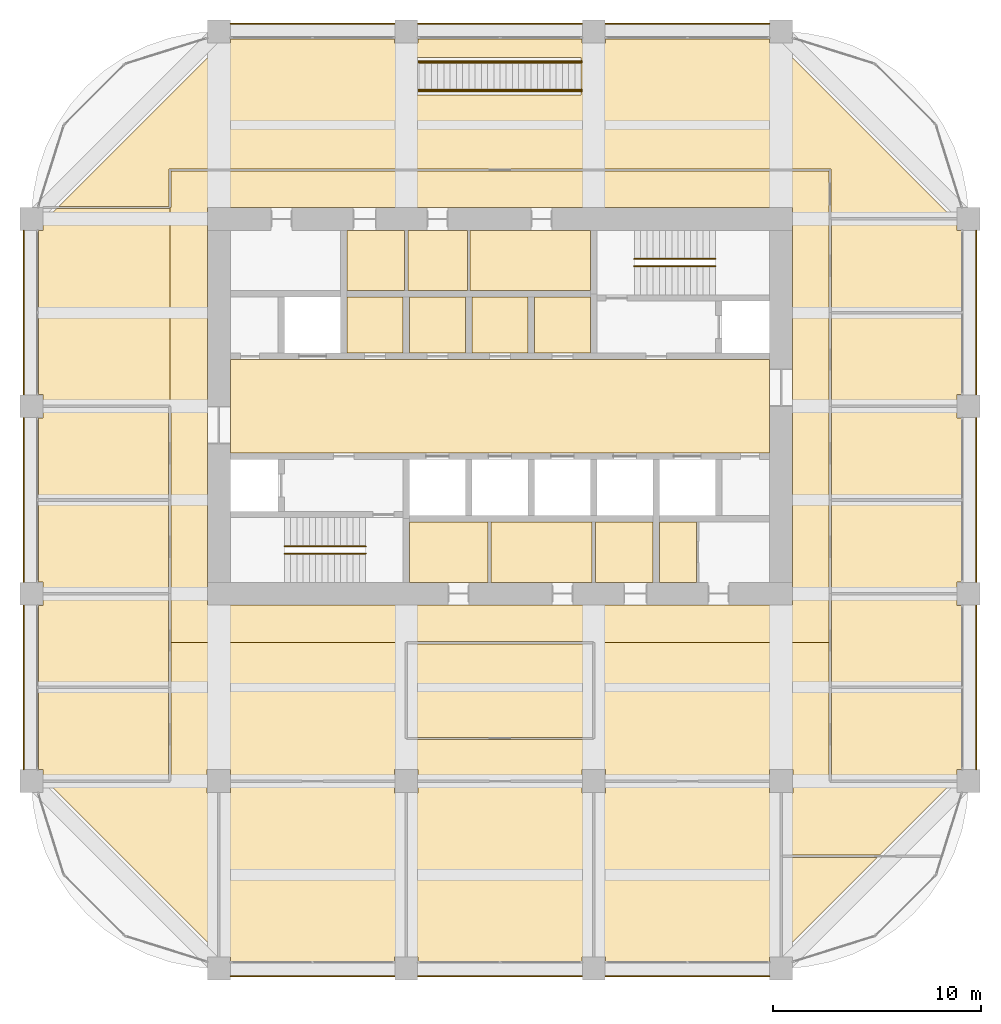
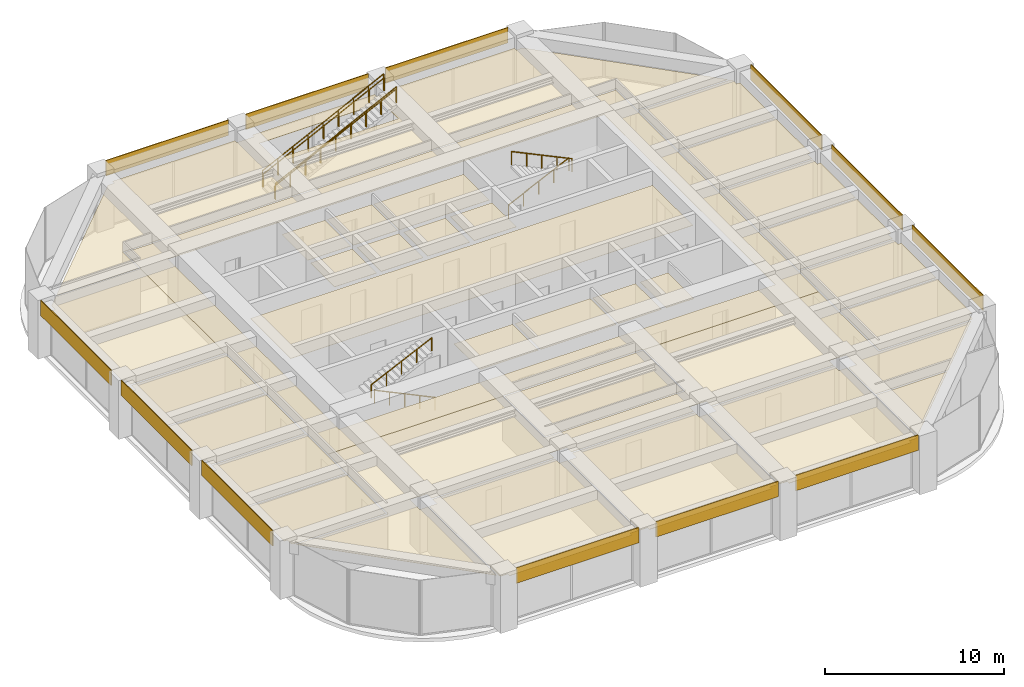
# One storey, part 45 of 45: 43 coverings, 8 railings.
"""IFC4 building model written with IfcOpenShell, lengths in metres."""

import ifcopenshell
import ifcopenshell.guid

model = None  # the IFC model being written
_history = None  # IfcOwnerHistory: only IFC2X3 demands one
_inside = {}  # id of a spatial element -> (the spatial element, [elements in it])
_under = {}  # id of a project, library or spatial element -> (it, [spatial elements below it])
_declared = {}  # id of a project -> (the project, [libraries it declares])
_typed = {}  # id of a type object -> (the type object, [elements of that type])
_made_of = {}  # id of a material, layer set ... -> (it, [elements and type objects made of it])


def new_model(schema):
    """Start an empty IFC model of exactly this schema.

    Asked for "IFC4X3", IfcOpenShell would pick the latest addendum, in which some entities
    have other attributes; the version numbers below select the first issue.
    IFC2X3 requires an IfcOwnerHistory on every rooted entity: one is made here for all.
    """
    global model, _history
    if schema == "IFC4X3":
        model = ifcopenshell.file(schema_version=(4, 3, 0, 0))
    else:
        model = ifcopenshell.file(schema=schema)
    _inside.clear()
    _under.clear()
    _declared.clear()
    _typed.clear()
    _made_of.clear()
    _history = None
    if model.schema == "IFC2X3":
        org = make("IfcOrganization", Name="unknown")
        user = make(
            "IfcPersonAndOrganization",
            ThePerson=make("IfcPerson", FamilyName="unknown"),
            TheOrganization=org,
        )
        app = make(
            "IfcApplication",
            ApplicationDeveloper=org,
            Version="unknown",
            ApplicationFullName="unknown",
            ApplicationIdentifier="unknown",
        )
        _history = make(
            "IfcOwnerHistory",
            OwningUser=user,
            OwningApplication=app,
            ChangeAction="ADDED",
            CreationDate=0,
        )
    return model


def make(cls, **values):
    """One entity of the class cls with the attributes given. An attribute that is None is left unset."""
    return model.create_entity(
        cls, **{name: value for name, value in values.items() if value is not None}
    )


def rooted(cls, **values):
    """An entity with a GlobalId (a new one), such as an element, a storey or a relation."""
    return make(cls, GlobalId=ifcopenshell.guid.new(), OwnerHistory=_history, **values)


def si_unit(unit_type, name, prefix=None):
    """IfcSIUnit, for example si_unit("LENGTHUNIT", "METRE", prefix="MILLI")."""
    return make("IfcSIUnit", UnitType=unit_type, Prefix=prefix, Name=name)


def assignment(units):
    """IfcUnitAssignment: the units of a project."""
    return None if units is None else make("IfcUnitAssignment", Units=units)


def point(xyz):
    """IfcCartesianPoint."""
    return None if xyz is None else make("IfcCartesianPoint", Coordinates=xyz)


def direction(xyz):
    """IfcDirection."""
    return None if xyz is None else make("IfcDirection", DirectionRatios=xyz)


def frame(location, z_axis=None, x_axis=None):
    """IfcAxis2Placement3D, a coordinate frame: its origin and axes. An axis left out is left unset."""
    return make(
        "IfcAxis2Placement3D",
        Location=point(location),
        Axis=direction(z_axis),
        RefDirection=direction(x_axis),
    )


def frame_2d(location, x_axis=None):
    """IfcAxis2Placement2D, a coordinate frame in the plane: its origin and x axis."""
    return make(
        "IfcAxis2Placement2D", Location=point(location), RefDirection=direction(x_axis)
    )


def origin():
    """The frame at (0, 0, 0) with its axes left unset."""
    return frame((0.0, 0.0, 0.0))


def origin_2d():
    """The frame at (0, 0) in the plane with its x axis left unset."""
    return frame_2d((0.0, 0.0))


def place(relative_to, where):
    """IfcLocalPlacement: puts the frame where relative to a parent placement (None: the world)."""
    return make(
        "IfcLocalPlacement", PlacementRelTo=relative_to, RelativePlacement=where
    )


def context(
    kind, dimensions, precision=None, world=None, true_north=None, identifier=None
):
    """IfcGeometricRepresentationContext, for example the 3D "Model" context."""
    return make(
        "IfcGeometricRepresentationContext",
        ContextIdentifier=identifier,
        ContextType=kind,
        CoordinateSpaceDimension=dimensions,
        Precision=precision,
        WorldCoordinateSystem=world,
        TrueNorth=true_north,
    )


def subcontext(parent, identifier, kind, view, scale=None):
    """IfcGeometricRepresentationSubContext, for example "Body" below "Model"."""
    return make(
        "IfcGeometricRepresentationSubContext",
        ContextIdentifier=identifier,
        ContextType=kind,
        ParentContext=parent,
        TargetScale=scale,
        TargetView=view,
    )


def project(units=None, contexts=None):
    """IfcProject with its units and contexts."""
    return rooted(
        "IfcProject",
        Name="project",
        RepresentationContexts=contexts,
        UnitsInContext=assignment(units),
    )


def spatial(cls, under=None, at=None, **own):
    """A site, building, storey or space (cls), placed at a placement, below another one or the project."""
    s = rooted(cls, ObjectPlacement=at, **own)
    if under is not None:
        _under.setdefault(under.id(), (under, []))[1].append(s)
    return s


def polyline(points):
    """IfcPolyline through the points."""
    return make("IfcPolyline", Points=[point(p) for p in points])


def profile(cls, at=None, kind="AREA", **sizes):
    """A parametric profile (cls). Its sizes go by their IFC names, for example OverallWidth=200.0."""
    return make(cls, ProfileType=kind, Position=at, **sizes)


def rectangle(**sizes):
    """IfcRectangleProfileDef."""
    return profile("IfcRectangleProfileDef", **sizes)


def circle(**sizes):
    """IfcCircleProfileDef."""
    return profile("IfcCircleProfileDef", **sizes)


def outline(outer, holes=None, kind="AREA"):
    """IfcArbitraryClosedProfileDef: a profile drawn as a closed curve; with holes, ...WithVoids."""
    if holes is None:
        return make("IfcArbitraryClosedProfileDef", ProfileType=kind, OuterCurve=outer)
    return make(
        "IfcArbitraryProfileDefWithVoids",
        ProfileType=kind,
        OuterCurve=outer,
        InnerCurves=holes,
    )


def extrude(swept, where, along, depth):
    """IfcExtrudedAreaSolid: the profile swept, set in the frame where, extruded along a direction by depth."""
    return make(
        "IfcExtrudedAreaSolid",
        SweptArea=swept,
        Position=where,
        ExtrudedDirection=direction(along),
        Depth=depth,
    )


def shape(context_of_items, identifier, shape_type, items):
    """IfcShapeRepresentation: the items that make up one representation, for example the "Body"."""
    return make(
        "IfcShapeRepresentation",
        ContextOfItems=context_of_items,
        RepresentationIdentifier=identifier,
        RepresentationType=shape_type,
        Items=items,
    )


def material(Name=None, Category=None):
    """IfcMaterial."""
    return make("IfcMaterial", Name=Name, Category=Category)


def layer(
    of_material, thickness, ventilated=None, Name=None, Category=None, Priority=None
):
    """IfcMaterialLayer: one layer of a wall or slab, of a material (None: an air gap)."""
    return make(
        "IfcMaterialLayer",
        Material=of_material,
        LayerThickness=thickness,
        IsVentilated=ventilated,
        Name=Name,
        Category=Category,
        Priority=Priority,
    )


def layer_set(layers, Name=None):
    """IfcMaterialLayerSet."""
    return make("IfcMaterialLayerSet", MaterialLayers=layers, LayerSetName=Name)


def made_of(thing, what):
    """Note that an element or type object is made of a material, layer set ...; save() writes the relation."""
    if what is not None:
        _made_of.setdefault(what.id(), (what, []))[1].append(thing)
    return thing


def type_object(cls, material=None, **own):
    """A type object (cls), such as IfcWallType, which elements share."""
    return made_of(rooted(cls, **own), material)


def element(
    cls,
    number,
    at=None,
    inside=None,
    cuts=None,
    type_object=None,
    material=None,
    context=None,
    identifier="Body",
    shape_type=None,
    held_by="IfcProductDefinitionShape",
    body=None,
    shapes=None,
    **own,
):
    """One element of the class cls, such as IfcWall. Its Tag is "e" and its number.

    at: its placement. inside: the storey or other place that contains it. cuts: it is an
    opening in that element (IfcRelVoidsElement). A single representation is given by context,
    identifier, shape_type and body (its items); several are given by shapes. held_by: the class
    of the entity that holds the representations. save() writes the other relations.
    """
    e = rooted(cls, Tag="e%d" % number, ObjectPlacement=at, **own)
    if body is not None:
        shapes = [shape(context, identifier, shape_type, body)]
    if shapes is not None:
        e.Representation = make(held_by, Representations=shapes)
    if inside is not None:
        _inside.setdefault(inside.id(), (inside, []))[1].append(e)
    if cuts is not None:
        rooted(
            "IfcRelVoidsElement", RelatingBuildingElement=cuts, RelatedOpeningElement=e
        )
    if type_object is not None:
        _typed.setdefault(type_object.id(), (type_object, []))[1].append(e)
    return made_of(e, material)


def aggregate(whole, parts):
    """IfcRelAggregates: a whole, such as a stair, and the parts it consists of."""
    return rooted("IfcRelAggregates", RelatingObject=whole, RelatedObjects=parts)


def save(model, path):
    """Write the relations noted so far, then the file.

    IfcRelAggregates (storeys below a building ...), IfcRelContainedInSpatialStructure (elements
    in a storey), IfcRelDefinesByType, IfcRelAssociatesMaterial and IfcRelDeclares: one each for
    every whole, place, type object, material and project.
    """
    for whole, parts in _under.values():
        aggregate(whole, parts)
    for where, things in _inside.values():
        rooted(
            "IfcRelContainedInSpatialStructure",
            RelatedElements=things,
            RelatingStructure=where,
        )
    for kind, things in _typed.values():
        rooted("IfcRelDefinesByType", RelatedObjects=things, RelatingType=kind)
    for what, things in _made_of.values():
        rooted("IfcRelAssociatesMaterial", RelatedObjects=things, RelatingMaterial=what)
    for by, libraries in _declared.values():
        rooted("IfcRelDeclares", RelatingContext=by, RelatedDefinitions=libraries)
    model.write(path)


model = new_model("IFC4")

# Units and contexts
model_context = context("Model", 3, precision=1e-05, world=origin(), true_north=direction((0.0, 1.0)))
body_context = subcontext(model_context, "Body", "Model", "MODEL_VIEW")
ifc_project = project(units=[si_unit("LENGTHUNIT", "METRE"), si_unit("AREAUNIT", "SQUARE_METRE"), si_unit("VOLUMEUNIT", "CUBIC_METRE"), si_unit("PLANEANGLEUNIT", "RADIAN"), si_unit("MASSUNIT", "GRAM", prefix="KILO")], contexts=[model_context])

# Site, building, storey
site_placement = place(None, origin())
site = spatial("IfcSite", under=ifc_project, at=site_placement, CompositionType="ELEMENT")
building_placement = place(site_placement, origin())
building = spatial("IfcBuilding", under=site, at=building_placement, Name="Zorevar Civic Tower", CompositionType="ELEMENT")
storey_placement = place(building_placement, frame((0.0, 0.0, 291.39990234375)))
storey = spatial("IfcBuildingStorey", under=building, at=storey_placement, Name="L71", CompositionType="ELEMENT", Elevation=291.39990234375)

# Railings
ifc_material_1 = material(Name="Laminated glass balustrade with black steel handrail", Category="steel")
railing_type_1 = type_object("IfcRailingType", Name="Balustrade BL1 1100", PredefinedType="BALUSTRADE", material=ifc_material_1)
for number, where, name in (
    (1, (27.60009765625, 42.1298828125, 0.148193359375), "Balustrade BL1 interconnecting stair L71"),
    (2, (27.60009765625, 43.570068359375, 0.148193359375), "Balustrade BL1 interconnecting stair L71"),
):
    element("IfcRailing", number, at=place(storey_placement, frame(where)), inside=storey, type_object=railing_type_1, Name=name, PredefinedType="BALUSTRADE", context=body_context, shape_type="SweptSolid", body=[
        extrude(circle(Radius=0.02392578125, at=origin_2d()), frame((0.0, 0.0, 1.076171875), z_axis=(0.896627794226, 0.0, 0.442785047875), x_axis=(0.0, 1.0, 0.0)), (0.0, 0.0, 1.0), 8.698974609375),
        extrude(circle(Radius=0.02099609375, at=origin_2d()), origin(), (0.0, 0.0, 1.0), 1.052001953125),
        extrude(circle(Radius=0.02099609375, at=origin_2d()), frame((0.97509765625, 0.0, 0.4814453125)), (0.0, 0.0, 1.0), 1.052001953125),
        extrude(circle(Radius=0.02099609375, at=origin_2d()), frame((1.949951171875, 0.0, 0.962890625)), (0.0, 0.0, 1.0), 1.052001953125),
        extrude(circle(Radius=0.02099609375, at=origin_2d()), frame((2.9248046875, 0.0, 1.4443359375)), (0.0, 0.0, 1.0), 1.052001953125),
        extrude(circle(Radius=0.02099609375, at=origin_2d()), frame((3.89990234375, 0.0, 1.92578125)), (0.0, 0.0, 1.0), 1.052001953125),
        extrude(circle(Radius=0.02099609375, at=origin_2d()), frame((4.875, 0.0, 2.407470703125)), (0.0, 0.0, 1.0), 1.052001953125),
        extrude(circle(Radius=0.02099609375, at=origin_2d()), frame((5.849853515625, 0.0, 2.888916015625)), (0.0, 0.0, 1.0), 1.052001953125),
        extrude(circle(Radius=0.02099609375, at=origin_2d()), frame((6.82470703125, 0.0, 3.370361328125)), (0.0, 0.0, 1.0), 1.052001953125),
        extrude(circle(Radius=0.02099609375, at=origin_2d()), frame((7.7998046875, 0.0, 3.851806640625)), (0.0, 0.0, 1.0), 1.052001953125),
    ])
ifc_material_2 = material(Name="Black steel handrail", Category="steel")
railing_type_2 = type_object("IfcRailingType", Name="Handrail HR1 900", PredefinedType="HANDRAIL", material=ifc_material_2)
railing_1_placement = place(storey_placement, frame((25.050048828125, 19.925048828125, 0.14306640625)))
element("IfcRailing", 3, at=railing_1_placement, inside=storey, type_object=railing_type_2, Name="Handrail HR1 ST1 L71", PredefinedType="HANDRAIL", context=body_context, shape_type="SweptSolid", body=[
    extrude(circle(Radius=0.02392578125, at=origin_2d()), frame((0.0, 0.0, 0.8759765625), z_axis=(-0.902885590262, 0.0, 0.429880926418), x_axis=(0.0, -1.0, 0.0)), (0.0, 0.0, 1.0), 4.319580078125),
    extrude(circle(Radius=0.02099609375, at=origin_2d()), origin(), (0.0, 0.0, 1.0), 0.851806640625),
    extrude(circle(Radius=0.02099609375, at=origin_2d()), frame((-0.97509765625, 0.0, 0.46435546875)), (0.0, 0.0, 1.0), 0.851806640625),
    extrude(circle(Radius=0.02099609375, at=origin_2d()), frame((-1.9501953125, 0.0, 0.928466796875)), (0.0, 0.0, 1.0), 0.851806640625),
    extrude(circle(Radius=0.02099609375, at=origin_2d()), frame((-2.925048828125, 0.0, 1.392578125)), (0.0, 0.0, 1.0), 0.851806640625),
    extrude(circle(Radius=0.02099609375, at=origin_2d()), frame((-3.900146484375, 0.0, 1.85693359375)), (0.0, 0.0, 1.0), 0.851806640625),
])
for number, where, name in (
    (4, (21.14990234375, 20.27490234375, 2.14306640625), "Handrail HR1 ST1 L71"),
    (5, (37.949951171875, 34.074951171875, 0.14306640625), "Handrail HR1 ST2 L71"),
):
    element("IfcRailing", number, at=place(storey_placement, frame(where)), inside=storey, type_object=railing_type_2, Name=name, PredefinedType="HANDRAIL", context=body_context, shape_type="SweptSolid", body=[
        extrude(circle(Radius=0.02392578125, at=origin_2d()), frame((0.0, 0.0, 0.8759765625), z_axis=(0.902885590262, 0.0, 0.429880926418), x_axis=(0.0, 1.0, 0.0)), (0.0, 0.0, 1.0), 4.319580078125),
        extrude(circle(Radius=0.02099609375, at=origin_2d()), origin(), (0.0, 0.0, 1.0), 0.851806640625),
        extrude(circle(Radius=0.02099609375, at=origin_2d()), frame((0.97509765625, 0.0, 0.46435546875)), (0.0, 0.0, 1.0), 0.851806640625),
        extrude(circle(Radius=0.02099609375, at=origin_2d()), frame((1.9501953125, 0.0, 0.928466796875)), (0.0, 0.0, 1.0), 0.851806640625),
        extrude(circle(Radius=0.02099609375, at=origin_2d()), frame((2.925048828125, 0.0, 1.392578125)), (0.0, 0.0, 1.0), 0.851806640625),
        extrude(circle(Radius=0.02099609375, at=origin_2d()), frame((3.900146484375, 0.0, 1.85693359375)), (0.0, 0.0, 1.0), 0.851806640625),
    ])
railing_2_placement = place(storey_placement, frame((41.85009765625, 33.72509765625, 2.14306640625)))
element("IfcRailing", 6, at=railing_2_placement, inside=storey, type_object=railing_type_2, Name="Handrail HR1 ST2 L71", PredefinedType="HANDRAIL", context=body_context, shape_type="SweptSolid", body=[
    extrude(circle(Radius=0.02392578125, at=origin_2d()), frame((0.0, 0.0, 0.8759765625), z_axis=(-0.902885590262, 0.0, 0.429880926418), x_axis=(0.0, -1.0, 0.0)), (0.0, 0.0, 1.0), 4.319580078125),
    extrude(circle(Radius=0.02099609375, at=origin_2d()), origin(), (0.0, 0.0, 1.0), 0.851806640625),
    extrude(circle(Radius=0.02099609375, at=origin_2d()), frame((-0.97509765625, 0.0, 0.46435546875)), (0.0, 0.0, 1.0), 0.851806640625),
    extrude(circle(Radius=0.02099609375, at=origin_2d()), frame((-1.9501953125, 0.0, 0.928466796875)), (0.0, 0.0, 1.0), 0.851806640625),
    extrude(circle(Radius=0.02099609375, at=origin_2d()), frame((-2.925048828125, 0.0, 1.392578125)), (0.0, 0.0, 1.0), 0.851806640625),
    extrude(circle(Radius=0.02099609375, at=origin_2d()), frame((-3.900146484375, 0.0, 1.85693359375)), (0.0, 0.0, 1.0), 0.851806640625),
])
for number, where, name in (
    (7, (27.60009765625, 42.199951171875, 0.148193359375), "Handrail HR1 interconnecting stair L71"),
    (8, (27.60009765625, 43.5, 0.148193359375), "Handrail HR1 interconnecting stair L71"),
):
    element("IfcRailing", number, at=place(storey_placement, frame(where)), inside=storey, type_object=railing_type_2, Name=name, PredefinedType="HANDRAIL", context=body_context, shape_type="SweptSolid", body=[
        extrude(circle(Radius=0.02392578125, at=origin_2d()), frame((0.0, 0.0, 0.8759765625), z_axis=(0.896627794226, 0.0, 0.442785047875), x_axis=(0.0, 1.0, 0.0)), (0.0, 0.0, 1.0), 8.698974609375),
        extrude(circle(Radius=0.02099609375, at=origin_2d()), origin(), (0.0, 0.0, 1.0), 0.851806640625),
        extrude(circle(Radius=0.02099609375, at=origin_2d()), frame((0.97509765625, 0.0, 0.4814453125)), (0.0, 0.0, 1.0), 0.851806640625),
        extrude(circle(Radius=0.02099609375, at=origin_2d()), frame((1.949951171875, 0.0, 0.962890625)), (0.0, 0.0, 1.0), 0.851806640625),
        extrude(circle(Radius=0.02099609375, at=origin_2d()), frame((2.9248046875, 0.0, 1.4443359375)), (0.0, 0.0, 1.0), 0.851806640625),
        extrude(circle(Radius=0.02099609375, at=origin_2d()), frame((3.89990234375, 0.0, 1.92578125)), (0.0, 0.0, 1.0), 0.851806640625),
        extrude(circle(Radius=0.02099609375, at=origin_2d()), frame((4.875, 0.0, 2.407470703125)), (0.0, 0.0, 1.0), 0.851806640625),
        extrude(circle(Radius=0.02099609375, at=origin_2d()), frame((5.849853515625, 0.0, 2.888916015625)), (0.0, 0.0, 1.0), 0.851806640625),
        extrude(circle(Radius=0.02099609375, at=origin_2d()), frame((6.82470703125, 0.0, 3.370361328125)), (0.0, 0.0, 1.0), 0.851806640625),
        extrude(circle(Radius=0.02099609375, at=origin_2d()), frame((7.7998046875, 0.0, 3.851806640625)), (0.0, 0.0, 1.0), 0.851806640625),
    ])

# Coverings
ifc_material_3 = material(Name="Moisture-resistant gypsum board")
ifc_layer_1 = layer(ifc_material_3, 0.012451171875)
ifc_layer_set_1 = layer_set([ifc_layer_1], Name="Moisture-resistant ceiling SC3")
covering_type_1 = type_object("IfcCoveringType", Name="Moisture-resistant ceiling SC3", PredefinedType="CEILING", material=ifc_layer_set_1)
covering_1_placement = place(storey_placement, frame((0.0, 0.0, 3.0)))
element("IfcCovering", 9, at=covering_1_placement, inside=storey, type_object=covering_type_1, Name="Ceiling L71-05", PredefinedType="CEILING", context=body_context, shape_type="SweptSolid", body=[
    extrude(outline(polyline([(30.925048828125, 18.550048828125), (30.925048828125, 21.449951171875), (27.14990234375, 21.449951171875), (27.14990234375, 18.550048828125), (30.925048828125, 18.550048828125)])), origin(), (0.0, 0.0, 1.0), 0.0126953125),
])
covering_2_placement = place(storey_placement, frame((0.0, 0.0, 3.0)))
element("IfcCovering", 10, at=covering_2_placement, inside=storey, type_object=covering_type_1, Name="Ceiling L71-06", PredefinedType="CEILING", context=body_context, shape_type="SweptSolid", body=[
    extrude(outline(polyline([(35.925048828125, 18.550048828125), (35.925048828125, 21.449951171875), (31.074951171875, 21.449951171875), (31.074951171875, 18.550048828125), (35.925048828125, 18.550048828125)])), origin(), (0.0, 0.0, 1.0), 0.0126953125),
])
covering_3_placement = place(storey_placement, frame((0.0, 0.0, 3.0)))
element("IfcCovering", 11, at=covering_3_placement, inside=storey, type_object=covering_type_1, Name="Ceiling L71-07", PredefinedType="CEILING", context=body_context, shape_type="SweptSolid", body=[
    extrude(outline(polyline([(38.85009765625, 18.550048828125), (38.85009765625, 21.449951171875), (36.074951171875, 21.449951171875), (36.074951171875, 18.550048828125), (38.85009765625, 18.550048828125)])), origin(), (0.0, 0.0, 1.0), 0.0126953125),
])
covering_4_placement = place(storey_placement, frame((0.0, 0.0, 3.0)))
element("IfcCovering", 12, at=covering_4_placement, inside=storey, type_object=covering_type_1, Name="Ceiling L71-10", PredefinedType="CEILING", context=body_context, shape_type="SweptSolid", body=[
    extrude(outline(polyline([(26.925048828125, 32.550048828125), (26.925048828125, 35.449951171875), (24.14990234375, 35.449951171875), (24.14990234375, 32.550048828125), (26.925048828125, 32.550048828125)])), origin(), (0.0, 0.0, 1.0), 0.0126953125),
])
ifc_material_4 = material(Name="Black anodised aluminium spandrel panel", Category="aluminium")
ifc_layer_2 = layer(ifc_material_4, 0.050048828125)
ifc_layer_set_2 = layer_set([ifc_layer_2], Name="Spandrel cladding SP1")
covering_type_2 = type_object("IfcCoveringType", Name="Spandrel cladding SP1", PredefinedType="CLADDING", material=ifc_layer_set_2)
for number, where, z_axis, x_axis, name in (
    (13, (18.550048828125, -0.375, 2.9501953125), (0.0, 0.0, 1.0), (1.0, 0.0, 0.0), "Spandrel cladding L72"),
    (14, (27.550048828125, -0.375, 2.9501953125), (0.0, 0.0, 1.0), (1.0, 0.0, 0.0), "Spandrel cladding L72"),
    (15, (36.550048828125, -0.375, 2.9501953125), (0.0, 0.0, 1.0), (1.0, 0.0, 0.0), "Spandrel cladding L72"),
    (16, (18.550048828125, 45.375, 2.9501953125), (0.0, 0.0, 1.0), (1.0, 0.0, 0.0), "Spandrel cladding L72"),
    (17, (27.550048828125, 45.375, 2.9501953125), (0.0, 0.0, 1.0), (1.0, 0.0, 0.0), "Spandrel cladding L72"),
    (18, (36.550048828125, 45.375, 2.9501953125), (0.0, 0.0, 1.0), (1.0, 0.0, 0.0), "Spandrel cladding L72"),
    (19, (8.625, 9.550048828125, 2.9501953125), (0.0, 0.0, 1.0), (0.0, 1.0, 0.0), "Spandrel cladding L72"),
    (20, (8.625, 18.550048828125, 2.9501953125), (0.0, 0.0, 1.0), (0.0, 1.0, 0.0), "Spandrel cladding L72"),
    (21, (8.625, 27.550048828125, 2.9501953125), (0.0, 0.0, 1.0), (0.0, 1.0, 0.0), "Spandrel cladding L72"),
    (22, (54.375, 9.550048828125, 2.9501953125), (0.0, 0.0, 1.0), (0.0, 1.0, 0.0), "Spandrel cladding L72"),
    (23, (54.375, 18.550048828125, 2.9501953125), (0.0, 0.0, 1.0), (0.0, 1.0, 0.0), "Spandrel cladding L72"),
    (24, (54.375, 27.550048828125, 2.9501953125), (0.0, 0.0, 1.0), (0.0, 1.0, 0.0), "Spandrel cladding L72"),
):
    element("IfcCovering", number, at=place(storey_placement, frame(where, z_axis=z_axis, x_axis=x_axis)), inside=storey, type_object=covering_type_2, Name=name, PredefinedType="CLADDING", context=body_context, shape_type="SweptSolid", body=[
        extrude(rectangle(XDim=7.89990234375, YDim=0.050048828125, at=frame_2d((3.949951171875, 0.0))), origin(), (0.0, 0.0, 1.0), 1.0498046875),
    ])
ifc_material_5 = material(Name="Mineral fibre tiles on a concealed grid")
ifc_layer_3 = layer(ifc_material_5, 0.02001953125)
ifc_layer_set_3 = layer_set([ifc_layer_3], Name="Suspended ceiling SC1")
covering_type_3 = type_object("IfcCoveringType", Name="Suspended ceiling SC1", PredefinedType="CEILING", material=ifc_layer_set_3)
covering_5_placement = place(storey_placement, frame((0.0, 0.0, 3.0)))
element("IfcCovering", 25, at=covering_5_placement, inside=storey, type_object=covering_type_3, Name="Ceiling L71-08", PredefinedType="CEILING", context=body_context, shape_type="SweptSolid", body=[
    extrude(outline(polyline([(35.85009765625, 32.550048828125), (35.85009765625, 35.449951171875), (30.06005859375, 35.449951171875), (30.06005859375, 32.550048828125), (35.85009765625, 32.550048828125)])), origin(), (0.0, 0.0, 1.0), 0.02001953125),
])
covering_6_placement = place(storey_placement, frame((0.0, 0.0, 3.0)))
element("IfcCovering", 26, at=covering_6_placement, inside=storey, type_object=covering_type_3, Name="Ceiling L71-09", PredefinedType="CEILING", context=body_context, shape_type="SweptSolid", body=[
    extrude(outline(polyline([(29.93994140625, 32.550048828125), (29.93994140625, 35.449951171875), (27.074951171875, 35.449951171875), (27.074951171875, 32.550048828125), (29.93994140625, 32.550048828125)])), origin(), (0.0, 0.0, 1.0), 0.02001953125),
])
covering_7_placement = place(storey_placement, frame((0.0, 0.0, 3.0)))
element("IfcCovering", 27, at=covering_7_placement, inside=storey, type_object=covering_type_3, Name="Ceiling L71-11", PredefinedType="CEILING", context=body_context, shape_type="SweptSolid", body=[
    extrude(outline(polyline([(40.93994140625, 18.550048828125), (40.93994140625, 21.449951171875), (39.14990234375, 21.449951171875), (39.14990234375, 18.550048828125), (40.93994140625, 18.550048828125)])), origin(), (0.0, 0.0, 1.0), 0.02001953125),
])
covering_8_placement = place(storey_placement, frame((0.0, 0.0, 3.0)))
element("IfcCovering", 28, at=covering_8_placement, inside=storey, type_object=covering_type_3, Name="Ceiling L71-16", PredefinedType="CEILING", context=body_context, shape_type="SweptSolid", body=[
    extrude(outline(polyline([(44.449951171875, 24.75), (44.449951171875, 29.25), (18.550048828125, 29.25), (18.550048828125, 24.75), (44.449951171875, 24.75)])), origin(), (0.0, 0.0, 1.0), 0.02001953125),
])
covering_9_placement = place(storey_placement, frame((0.0, 0.0, 3.0)))
element("IfcCovering", 29, at=covering_9_placement, inside=storey, type_object=covering_type_3, Name="Ceiling L71-17", PredefinedType="CEILING", context=body_context, shape_type="SweptSolid", body=[
    extrude(outline(polyline([(35.85009765625, 29.550048828125), (35.85009765625, 32.25), (33.14990234375, 32.25), (33.14990234375, 29.550048828125), (35.85009765625, 29.550048828125)])), origin(), (0.0, 0.0, 1.0), 0.02001953125),
])
covering_10_placement = place(storey_placement, frame((0.0, 0.0, 3.0)))
element("IfcCovering", 30, at=covering_10_placement, inside=storey, type_object=covering_type_3, Name="Ceiling L71-18", PredefinedType="CEILING", context=body_context, shape_type="SweptSolid", body=[
    extrude(outline(polyline([(32.85009765625, 29.550048828125), (32.85009765625, 32.25), (30.14990234375, 32.25), (30.14990234375, 29.550048828125), (32.85009765625, 29.550048828125)])), origin(), (0.0, 0.0, 1.0), 0.02001953125),
])
covering_11_placement = place(storey_placement, frame((0.0, 0.0, 3.0)))
element("IfcCovering", 31, at=covering_11_placement, inside=storey, type_object=covering_type_3, Name="Ceiling L71-19", PredefinedType="CEILING", context=body_context, shape_type="SweptSolid", body=[
    extrude(outline(polyline([(29.85009765625, 29.550048828125), (29.85009765625, 32.25), (27.14990234375, 32.25), (27.14990234375, 29.550048828125), (29.85009765625, 29.550048828125)])), origin(), (0.0, 0.0, 1.0), 0.02001953125),
])
covering_12_placement = place(storey_placement, frame((0.0, 0.0, 3.0)))
element("IfcCovering", 32, at=covering_12_placement, inside=storey, type_object=covering_type_3, Name="Ceiling L71-20", PredefinedType="CEILING", context=body_context, shape_type="SweptSolid", body=[
    extrude(outline(polyline([(26.85009765625, 29.550048828125), (26.85009765625, 32.25), (24.14990234375, 32.25), (24.14990234375, 29.550048828125), (26.85009765625, 29.550048828125)])), origin(), (0.0, 0.0, 1.0), 0.02001953125),
])
covering_13_placement = place(storey_placement, frame((0.0, 0.0, 3.0)))
element("IfcCovering", 33, at=covering_13_placement, inside=storey, type_object=covering_type_3, Name="Ceiling L71-21", PredefinedType="CEILING", context=body_context, shape_type="SweptSolid", body=[
    extrude(outline(polyline([(18.06005859375, 8.43994140625), (18.56005859375, 8.43994140625), (18.56005859375, 8.93994140625), (26.43994140625, 8.93994140625), (26.43994140625, 8.43994140625), (26.93994140625, 8.43994140625), (26.93994140625, 0.56005859375), (26.43994140625, 0.56005859375), (26.43994140625, 0.35009765625), (18.56005859375, 0.35009765625), (18.56005859375, 0.56005859375), (18.147216796875, 0.56005859375), (18.06005859375, 0.647216796875), (18.06005859375, 8.43994140625)])), origin(), (0.0, 0.0, 1.0), 0.02001953125),
])
covering_14_placement = place(storey_placement, frame((0.0, 0.0, 3.0)))
element("IfcCovering", 34, at=covering_14_placement, inside=storey, type_object=covering_type_3, Name="Ceiling L71-22", PredefinedType="CEILING", context=body_context, shape_type="SweptSolid", body=[
    extrude(outline(polyline([(27.06005859375, 0.56005859375), (27.06005859375, 8.43994140625), (27.56005859375, 8.43994140625), (27.56005859375, 8.93994140625), (35.43994140625, 8.93994140625), (35.43994140625, 8.43994140625), (35.93994140625, 8.43994140625), (35.93994140625, 0.56005859375), (35.43994140625, 0.56005859375), (35.43994140625, 0.35009765625), (27.56005859375, 0.35009765625), (27.56005859375, 0.56005859375), (27.06005859375, 0.56005859375)])), origin(), (0.0, 0.0, 1.0), 0.02001953125),
])
covering_15_placement = place(storey_placement, frame((0.0, 0.0, 3.0)))
element("IfcCovering", 35, at=covering_15_placement, inside=storey, type_object=covering_type_3, Name="Ceiling L71-23", PredefinedType="CEILING", context=body_context, shape_type="SweptSolid", body=[
    extrude(outline(polyline([(36.06005859375, 0.56005859375), (36.06005859375, 8.43994140625), (36.56005859375, 8.43994140625), (36.56005859375, 8.93994140625), (44.43994140625, 8.93994140625), (44.43994140625, 8.43994140625), (44.93994140625, 8.43994140625), (44.93994140625, 0.647216796875), (44.852783203125, 0.56005859375), (44.43994140625, 0.56005859375), (44.43994140625, 0.35009765625), (36.56005859375, 0.35009765625), (36.56005859375, 0.56005859375), (36.06005859375, 0.56005859375)])), origin(), (0.0, 0.0, 1.0), 0.02001953125),
])
covering_16_placement = place(storey_placement, frame((0.0, 0.0, 3.0)))
element("IfcCovering", 36, at=covering_16_placement, inside=storey, type_object=covering_type_3, Name="Ceiling L71-24", PredefinedType="CEILING", context=body_context, shape_type="SweptSolid", body=[
    extrude(outline(polyline([(53.64990234375, 13.43994140625), (53.64990234375, 9.56005859375), (53.43994140625, 9.56005859375), (53.43994140625, 9.147216796875), (53.352783203125, 9.06005859375), (47.409912109375, 9.06005859375), (47.409912109375, 13.43994140625), (53.64990234375, 13.43994140625)])), origin(), (0.0, 0.0, 1.0), 0.02001953125),
])
covering_17_placement = place(storey_placement, frame((0.0, 0.0, 3.0)))
element("IfcCovering", 37, at=covering_17_placement, inside=storey, type_object=covering_type_3, Name="Ceiling L71-25", PredefinedType="CEILING", context=body_context, shape_type="SweptSolid", body=[
    extrude(outline(polyline([(47.409912109375, 17.93994140625), (53.43994140625, 17.93994140625), (53.43994140625, 17.43994140625), (53.64990234375, 17.43994140625), (53.64990234375, 13.56005859375), (47.409912109375, 13.56005859375), (47.409912109375, 17.93994140625)])), origin(), (0.0, 0.0, 1.0), 0.02001953125),
])
covering_18_placement = place(storey_placement, frame((0.0, 0.0, 3.0)))
element("IfcCovering", 38, at=covering_18_placement, inside=storey, type_object=covering_type_3, Name="Ceiling L71-26", PredefinedType="CEILING", context=body_context, shape_type="SweptSolid", body=[
    extrude(outline(polyline([(47.409912109375, 22.43994140625), (53.64990234375, 22.43994140625), (53.64990234375, 18.56005859375), (53.43994140625, 18.56005859375), (53.43994140625, 18.06005859375), (47.409912109375, 18.06005859375), (47.409912109375, 22.43994140625)])), origin(), (0.0, 0.0, 1.0), 0.02001953125),
])
covering_19_placement = place(storey_placement, frame((0.0, 0.0, 3.0)))
element("IfcCovering", 39, at=covering_19_placement, inside=storey, type_object=covering_type_3, Name="Ceiling L71-27", PredefinedType="CEILING", context=body_context, shape_type="SweptSolid", body=[
    extrude(outline(polyline([(47.409912109375, 26.93994140625), (53.43994140625, 26.93994140625), (53.43994140625, 26.43994140625), (53.64990234375, 26.43994140625), (53.64990234375, 22.56005859375), (47.409912109375, 22.56005859375), (47.409912109375, 26.93994140625)])), origin(), (0.0, 0.0, 1.0), 0.02001953125),
])
covering_20_placement = place(storey_placement, frame((0.0, 0.0, 3.0)))
element("IfcCovering", 40, at=covering_20_placement, inside=storey, type_object=covering_type_3, Name="Ceiling L71-28", PredefinedType="CEILING", context=body_context, shape_type="SweptSolid", body=[
    extrude(outline(polyline([(47.409912109375, 31.43994140625), (53.64990234375, 31.43994140625), (53.64990234375, 27.56005859375), (53.43994140625, 27.56005859375), (53.43994140625, 27.06005859375), (47.409912109375, 27.06005859375), (47.409912109375, 31.43994140625)])), origin(), (0.0, 0.0, 1.0), 0.02001953125),
])
covering_21_placement = place(storey_placement, frame((0.0, 0.0, 3.0)))
element("IfcCovering", 41, at=covering_21_placement, inside=storey, type_object=covering_type_3, Name="Ceiling L71-29", PredefinedType="CEILING", context=body_context, shape_type="SweptSolid", body=[
    extrude(outline(polyline([(53.352783203125, 35.93994140625), (53.43994140625, 35.852783203125), (53.43994140625, 35.43994140625), (53.64990234375, 35.43994140625), (53.64990234375, 31.56005859375), (47.409912109375, 31.56005859375), (47.409912109375, 35.93994140625), (53.352783203125, 35.93994140625)])), origin(), (0.0, 0.0, 1.0), 0.02001953125),
])
covering_22_placement = place(storey_placement, frame((0.0, 0.0, 3.0)))
element("IfcCovering", 42, at=covering_22_placement, inside=storey, type_object=covering_type_3, Name="Ceiling L71-30", PredefinedType="CEILING", context=body_context, shape_type="SweptSolid", body=[
    extrude(outline(polyline([(9.647216796875, 9.06005859375), (9.56005859375, 9.147216796875), (9.56005859375, 9.56005859375), (9.35009765625, 9.56005859375), (9.35009765625, 13.43994140625), (15.590087890625, 13.43994140625), (15.590087890625, 9.06005859375), (9.647216796875, 9.06005859375)])), origin(), (0.0, 0.0, 1.0), 0.02001953125),
])
covering_23_placement = place(storey_placement, frame((0.0, 0.0, 3.0)))
element("IfcCovering", 43, at=covering_23_placement, inside=storey, type_object=covering_type_3, Name="Ceiling L71-31", PredefinedType="CEILING", context=body_context, shape_type="SweptSolid", body=[
    extrude(outline(polyline([(15.590087890625, 13.56005859375), (9.35009765625, 13.56005859375), (9.35009765625, 17.43994140625), (9.56005859375, 17.43994140625), (9.56005859375, 17.93994140625), (15.590087890625, 17.93994140625), (15.590087890625, 13.56005859375)])), origin(), (0.0, 0.0, 1.0), 0.02001953125),
])
covering_24_placement = place(storey_placement, frame((0.0, 0.0, 3.0)))
element("IfcCovering", 44, at=covering_24_placement, inside=storey, type_object=covering_type_3, Name="Ceiling L71-32", PredefinedType="CEILING", context=body_context, shape_type="SweptSolid", body=[
    extrude(outline(polyline([(15.590087890625, 18.06005859375), (9.56005859375, 18.06005859375), (9.56005859375, 18.56005859375), (9.35009765625, 18.56005859375), (9.35009765625, 22.43994140625), (15.590087890625, 22.43994140625), (15.590087890625, 18.06005859375)])), origin(), (0.0, 0.0, 1.0), 0.02001953125),
])
covering_25_placement = place(storey_placement, frame((0.0, 0.0, 3.0)))
element("IfcCovering", 45, at=covering_25_placement, inside=storey, type_object=covering_type_3, Name="Ceiling L71-33", PredefinedType="CEILING", context=body_context, shape_type="SweptSolid", body=[
    extrude(outline(polyline([(15.590087890625, 22.56005859375), (9.35009765625, 22.56005859375), (9.35009765625, 26.43994140625), (9.56005859375, 26.43994140625), (9.56005859375, 26.93994140625), (15.590087890625, 26.93994140625), (15.590087890625, 22.56005859375)])), origin(), (0.0, 0.0, 1.0), 0.02001953125),
])
covering_26_placement = place(storey_placement, frame((0.0, 0.0, 3.0)))
element("IfcCovering", 46, at=covering_26_placement, inside=storey, type_object=covering_type_3, Name="Ceiling L71-34", PredefinedType="CEILING", context=body_context, shape_type="SweptSolid", body=[
    extrude(outline(polyline([(35.93994140625, 15.590087890625), (35.93994140625, 11.10009765625), (27.06005859375, 11.10009765625), (27.06005859375, 15.590087890625), (35.93994140625, 15.590087890625)])), origin(), (0.0, 0.0, 1.0), 0.02001953125),
])
covering_27_placement = place(storey_placement, frame((0.0, 0.0, 3.0)))
element("IfcCovering", 47, at=covering_27_placement, inside=storey, type_object=covering_type_3, Name="Ceiling L71-35", PredefinedType="CEILING", context=body_context, shape_type="SweptSolid", body=[
    extrude(outline(polyline([(45.06005859375, 5.340087890625), (49.6328125, 5.340087890625), (45.06005859375, 0.76708984375), (45.06005859375, 5.340087890625)])), origin(), (0.0, 0.0, 1.0), 0.02001953125),
])
covering_28_placement = place(storey_placement, frame((0.0, 0.0, 3.0)))
element("IfcCovering", 48, at=covering_28_placement, inside=storey, type_object=covering_type_3, Name="Ceiling L71-36", PredefinedType="CEILING", context=body_context, shape_type="SweptSolid", body=[
    extrude(outline(polyline([(15.7099609375, 15.64990234375), (15.7099609375, 27.0), (15.64990234375, 27.0), (15.64990234375, 36.550048828125), (15.699951171875, 36.550048828125), (15.699951171875, 38.300048828125), (47.300048828125, 38.300048828125), (47.300048828125, 36.0), (47.2900390625, 36.0), (47.2900390625, 15.64990234375), (36.0, 15.64990234375), (36.0, 15.7099609375), (27.0, 15.7099609375), (27.0, 15.64990234375), (15.7099609375, 15.64990234375)]), holes=[polyline([(45.550048828125, 36.550048828125), (17.449951171875, 36.550048828125), (17.449951171875, 17.449951171875), (45.550048828125, 17.449951171875), (45.550048828125, 36.550048828125)])]), origin(), (0.0, 0.0, 1.0), 0.02001953125),
])
covering_29_placement = place(storey_placement, frame((0.0, 0.0, 3.0)))
element("IfcCovering", 49, at=covering_29_placement, inside=storey, type_object=covering_type_3, Name="Ceiling L71-37", PredefinedType="CEILING", context=body_context, shape_type="SweptSolid", body=[
    extrude(outline(polyline([(18.56005859375, 44.43994140625), (18.56005859375, 44.64892578125), (26.43994140625, 44.64892578125), (26.43994140625, 44.43994140625), (27.56005859375, 44.43994140625), (27.56005859375, 44.64892578125), (35.43994140625, 44.64892578125), (35.43994140625, 44.43994140625), (36.56005859375, 44.43994140625), (36.56005859375, 44.64892578125), (44.43994140625, 44.64892578125), (44.43994140625, 44.43994140625), (44.852783203125, 44.43994140625), (53.23291015625, 36.06005859375), (47.400146484375, 36.06005859375), (47.39990234375, 38.40087890625), (15.60009765625, 38.40087890625), (15.59912109375, 36.60107421875), (10.30810546875, 36.60107421875), (18.147216796875, 44.43994140625), (18.56005859375, 44.43994140625)]), holes=[polyline([(27.5, 41.949951171875), (35.39990234375, 41.949951171875), (35.39990234375, 43.75), (27.5, 43.75), (27.5, 41.949951171875)])]), origin(), (0.0, 0.0, 1.0), 0.02001953125),
])
covering_30_placement = place(storey_placement, frame((0.0, 0.0, 3.0)))
element("IfcCovering", 50, at=covering_30_placement, inside=storey, type_object=covering_type_3, Name="Ceiling L71-38", PredefinedType="CEILING", context=body_context, shape_type="SweptSolid", body=[
    extrude(outline(polyline([(15.7099609375, 15.64990234375), (26.93994140625, 15.64990234375), (26.93994140625, 11.050048828125), (27.0, 11.050048828125), (27.0, 11.0), (36.0, 11.0), (36.0, 11.050048828125), (36.06005859375, 11.050048828125), (36.06005859375, 15.64990234375), (47.2900390625, 15.64990234375), (47.2900390625, 9.0), (47.35009765625, 9.0), (47.35009765625, 8.93994140625), (53.23291015625, 8.93994140625), (49.7529296875, 5.4599609375), (45.06005859375, 5.4599609375), (45.06005859375, 8.43994140625), (45.56005859375, 8.43994140625), (45.56005859375, 9.56005859375), (44.43994140625, 9.56005859375), (44.43994140625, 9.06005859375), (36.56005859375, 9.06005859375), (36.56005859375, 9.56005859375), (35.43994140625, 9.56005859375), (35.43994140625, 9.06005859375), (27.56005859375, 9.06005859375), (27.56005859375, 9.56005859375), (26.43994140625, 9.56005859375), (26.43994140625, 9.06005859375), (18.56005859375, 9.06005859375), (18.56005859375, 9.56005859375), (17.43994140625, 9.56005859375), (17.43994140625, 8.43994140625), (17.93994140625, 8.43994140625), (17.93994140625, 0.76708984375), (9.76708984375, 8.93994140625), (15.64990234375, 8.93994140625), (15.64990234375, 9.0), (15.7099609375, 9.0), (15.7099609375, 15.64990234375)])), origin(), (0.0, 0.0, 1.0), 0.02001953125),
])
covering_31_placement = place(storey_placement, frame((0.0, 0.0, 3.0)))
element("IfcCovering", 51, at=covering_31_placement, inside=storey, type_object=covering_type_3, Name="Ceiling L71-39", PredefinedType="CEILING", context=body_context, shape_type="SweptSolid", body=[
    extrude(outline(polyline([(9.56005859375, 27.56005859375), (9.35009765625, 27.56005859375), (9.35009765625, 35.43994140625), (9.56005859375, 35.43994140625), (9.56005859375, 35.852783203125), (10.20703125, 36.5), (15.64990234375, 36.5), (15.64990234375, 27.06005859375), (9.56005859375, 27.06005859375), (9.56005859375, 27.56005859375)])), origin(), (0.0, 0.0, 1.0), 0.02001953125),
])

save(model, "model.ifc")
